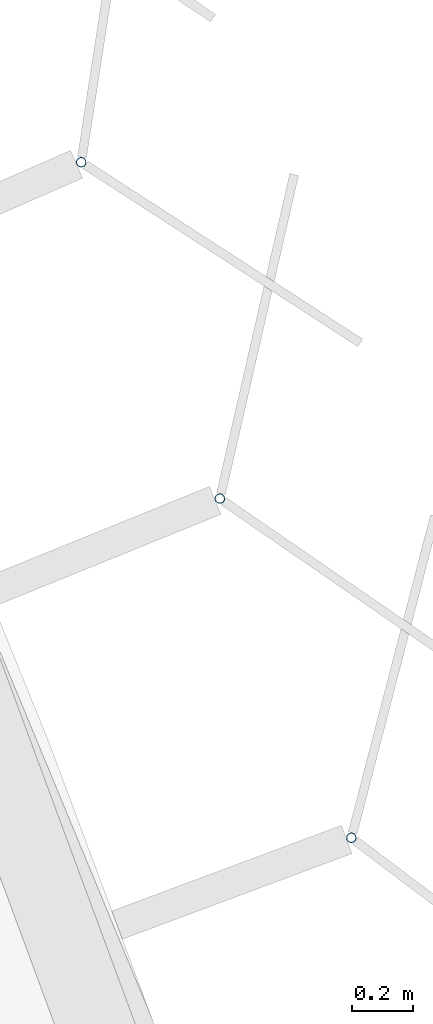
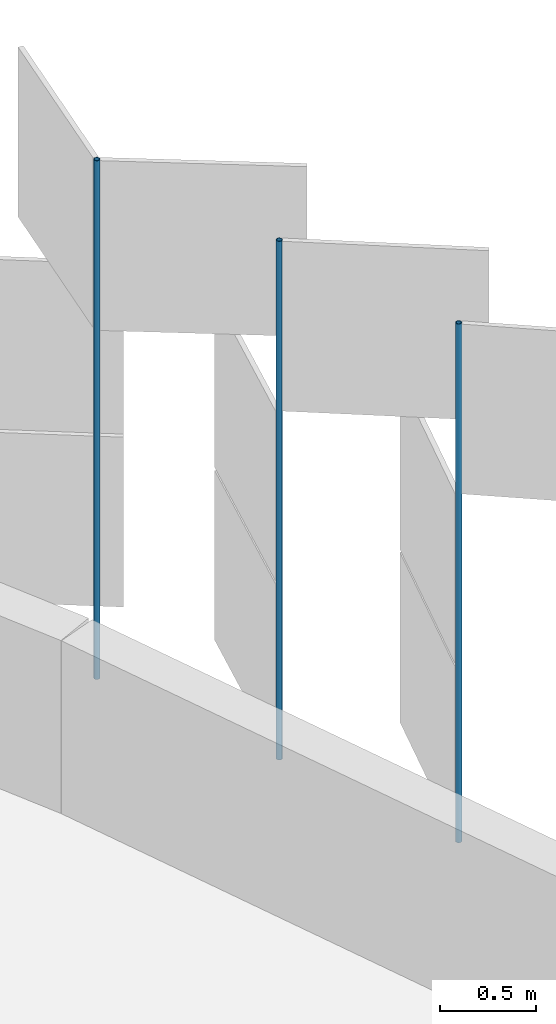
# One storey, part 121 of 198: 3 discrete accessories.
"""IFC4 building model written with IfcOpenShell, lengths in metres."""

import ifcopenshell
import ifcopenshell.guid

model = None  # the IFC model being written
_history = None  # IfcOwnerHistory: only IFC2X3 demands one
_inside = {}  # id of a spatial element -> (the spatial element, [elements in it])
_under = {}  # id of a project, library or spatial element -> (it, [spatial elements below it])
_declared = {}  # id of a project -> (the project, [libraries it declares])
_typed = {}  # id of a type object -> (the type object, [elements of that type])
_made_of = {}  # id of a material, layer set ... -> (it, [elements and type objects made of it])


def new_model(schema):
    """Start an empty IFC model of exactly this schema.

    Asked for "IFC4X3", IfcOpenShell would pick the latest addendum, in which some entities
    have other attributes; the version numbers below select the first issue.
    IFC2X3 requires an IfcOwnerHistory on every rooted entity: one is made here for all.
    """
    global model, _history
    if schema == "IFC4X3":
        model = ifcopenshell.file(schema_version=(4, 3, 0, 0))
    else:
        model = ifcopenshell.file(schema=schema)
    _inside.clear()
    _under.clear()
    _declared.clear()
    _typed.clear()
    _made_of.clear()
    _history = None
    if model.schema == "IFC2X3":
        org = make("IfcOrganization", Name="unknown")
        user = make(
            "IfcPersonAndOrganization",
            ThePerson=make("IfcPerson", FamilyName="unknown"),
            TheOrganization=org,
        )
        app = make(
            "IfcApplication",
            ApplicationDeveloper=org,
            Version="unknown",
            ApplicationFullName="unknown",
            ApplicationIdentifier="unknown",
        )
        _history = make(
            "IfcOwnerHistory",
            OwningUser=user,
            OwningApplication=app,
            ChangeAction="ADDED",
            CreationDate=0,
        )
    return model


def make(cls, **values):
    """One entity of the class cls with the attributes given. An attribute that is None is left unset."""
    return model.create_entity(
        cls, **{name: value for name, value in values.items() if value is not None}
    )


def rooted(cls, **values):
    """An entity with a GlobalId (a new one), such as an element, a storey or a relation."""
    return make(cls, GlobalId=ifcopenshell.guid.new(), OwnerHistory=_history, **values)


def si_unit(unit_type, name, prefix=None):
    """IfcSIUnit, for example si_unit("LENGTHUNIT", "METRE", prefix="MILLI")."""
    return make("IfcSIUnit", UnitType=unit_type, Prefix=prefix, Name=name)


def assignment(units):
    """IfcUnitAssignment: the units of a project."""
    return None if units is None else make("IfcUnitAssignment", Units=units)


def point(xyz):
    """IfcCartesianPoint."""
    return None if xyz is None else make("IfcCartesianPoint", Coordinates=xyz)


def direction(xyz):
    """IfcDirection."""
    return None if xyz is None else make("IfcDirection", DirectionRatios=xyz)


def frame(location, z_axis=None, x_axis=None):
    """IfcAxis2Placement3D, a coordinate frame: its origin and axes. An axis left out is left unset."""
    return make(
        "IfcAxis2Placement3D",
        Location=point(location),
        Axis=direction(z_axis),
        RefDirection=direction(x_axis),
    )


def frame_2d(location, x_axis=None):
    """IfcAxis2Placement2D, a coordinate frame in the plane: its origin and x axis."""
    return make(
        "IfcAxis2Placement2D", Location=point(location), RefDirection=direction(x_axis)
    )


def origin():
    """The frame at (0, 0, 0) with its axes left unset."""
    return frame((0.0, 0.0, 0.0))


def origin_2d():
    """The frame at (0, 0) in the plane with its x axis left unset."""
    return frame_2d((0.0, 0.0))


def place(relative_to, where):
    """IfcLocalPlacement: puts the frame where relative to a parent placement (None: the world)."""
    return make(
        "IfcLocalPlacement", PlacementRelTo=relative_to, RelativePlacement=where
    )


def context(
    kind, dimensions, precision=None, world=None, true_north=None, identifier=None
):
    """IfcGeometricRepresentationContext, for example the 3D "Model" context."""
    return make(
        "IfcGeometricRepresentationContext",
        ContextIdentifier=identifier,
        ContextType=kind,
        CoordinateSpaceDimension=dimensions,
        Precision=precision,
        WorldCoordinateSystem=world,
        TrueNorth=true_north,
    )


def subcontext(parent, identifier, kind, view, scale=None):
    """IfcGeometricRepresentationSubContext, for example "Body" below "Model"."""
    return make(
        "IfcGeometricRepresentationSubContext",
        ContextIdentifier=identifier,
        ContextType=kind,
        ParentContext=parent,
        TargetScale=scale,
        TargetView=view,
    )


def project(units=None, contexts=None):
    """IfcProject with its units and contexts."""
    return rooted(
        "IfcProject",
        Name="project",
        RepresentationContexts=contexts,
        UnitsInContext=assignment(units),
    )


def spatial(cls, under=None, at=None, **own):
    """A site, building, storey or space (cls), placed at a placement, below another one or the project."""
    s = rooted(cls, ObjectPlacement=at, **own)
    if under is not None:
        _under.setdefault(under.id(), (under, []))[1].append(s)
    return s


def profile(cls, at=None, kind="AREA", **sizes):
    """A parametric profile (cls). Its sizes go by their IFC names, for example OverallWidth=200.0."""
    return make(cls, ProfileType=kind, Position=at, **sizes)


def hollow_circle(**sizes):
    """IfcCircleHollowProfileDef."""
    return profile("IfcCircleHollowProfileDef", **sizes)


def extrude(swept, where, along, depth):
    """IfcExtrudedAreaSolid: the profile swept, set in the frame where, extruded along a direction by depth."""
    return make(
        "IfcExtrudedAreaSolid",
        SweptArea=swept,
        Position=where,
        ExtrudedDirection=direction(along),
        Depth=depth,
    )


def shape(context_of_items, identifier, shape_type, items):
    """IfcShapeRepresentation: the items that make up one representation, for example the "Body"."""
    return make(
        "IfcShapeRepresentation",
        ContextOfItems=context_of_items,
        RepresentationIdentifier=identifier,
        RepresentationType=shape_type,
        Items=items,
    )


def material(Name=None, Category=None):
    """IfcMaterial."""
    return make("IfcMaterial", Name=Name, Category=Category)


def material_profile(
    of_material, cross_section, Name=None, Category=None, Priority=None
):
    """IfcMaterialProfile: a cross section and its material."""
    return make(
        "IfcMaterialProfile",
        Name=Name,
        Material=of_material,
        Profile=cross_section,
        Priority=Priority,
        Category=Category,
    )


def profile_set(profiles, Name=None, composite=None):
    """IfcMaterialProfileSet."""
    return make(
        "IfcMaterialProfileSet",
        Name=Name,
        MaterialProfiles=profiles,
        CompositeProfile=composite,
    )


def made_of(thing, what):
    """Note that an element or type object is made of a material, layer set ...; save() writes the relation."""
    if what is not None:
        _made_of.setdefault(what.id(), (what, []))[1].append(thing)
    return thing


def type_object(cls, material=None, **own):
    """A type object (cls), such as IfcWallType, which elements share."""
    return made_of(rooted(cls, **own), material)


def element(
    cls,
    number,
    at=None,
    inside=None,
    cuts=None,
    type_object=None,
    material=None,
    context=None,
    identifier="Body",
    shape_type=None,
    held_by="IfcProductDefinitionShape",
    body=None,
    shapes=None,
    **own,
):
    """One element of the class cls, such as IfcWall. Its Tag is "e" and its number.

    at: its placement. inside: the storey or other place that contains it. cuts: it is an
    opening in that element (IfcRelVoidsElement). A single representation is given by context,
    identifier, shape_type and body (its items); several are given by shapes. held_by: the class
    of the entity that holds the representations. save() writes the other relations.
    """
    e = rooted(cls, Tag="e%d" % number, ObjectPlacement=at, **own)
    if body is not None:
        shapes = [shape(context, identifier, shape_type, body)]
    if shapes is not None:
        e.Representation = make(held_by, Representations=shapes)
    if inside is not None:
        _inside.setdefault(inside.id(), (inside, []))[1].append(e)
    if cuts is not None:
        rooted(
            "IfcRelVoidsElement", RelatingBuildingElement=cuts, RelatedOpeningElement=e
        )
    if type_object is not None:
        _typed.setdefault(type_object.id(), (type_object, []))[1].append(e)
    return made_of(e, material)


def aggregate(whole, parts):
    """IfcRelAggregates: a whole, such as a stair, and the parts it consists of."""
    return rooted("IfcRelAggregates", RelatingObject=whole, RelatedObjects=parts)


def save(model, path):
    """Write the relations noted so far, then the file.

    IfcRelAggregates (storeys below a building ...), IfcRelContainedInSpatialStructure (elements
    in a storey), IfcRelDefinesByType, IfcRelAssociatesMaterial and IfcRelDeclares: one each for
    every whole, place, type object, material and project.
    """
    for whole, parts in _under.values():
        aggregate(whole, parts)
    for where, things in _inside.values():
        rooted(
            "IfcRelContainedInSpatialStructure",
            RelatedElements=things,
            RelatingStructure=where,
        )
    for kind, things in _typed.values():
        rooted("IfcRelDefinesByType", RelatedObjects=things, RelatingType=kind)
    for what, things in _made_of.values():
        rooted("IfcRelAssociatesMaterial", RelatedObjects=things, RelatingMaterial=what)
    for by, libraries in _declared.values():
        rooted("IfcRelDeclares", RelatingContext=by, RelatedDefinitions=libraries)
    model.write(path)


model = new_model("IFC4")

# Units and contexts
model_context = context("Model", 3, precision=1e-05, world=origin(), true_north=direction((0.0, 1.0)))
body_context = subcontext(model_context, "Body", "Model", "MODEL_VIEW")
ifc_project = project(units=[si_unit("LENGTHUNIT", "METRE"), si_unit("AREAUNIT", "SQUARE_METRE"), si_unit("VOLUMEUNIT", "CUBIC_METRE"), si_unit("PLANEANGLEUNIT", "RADIAN"), si_unit("MASSUNIT", "GRAM", prefix="KILO")], contexts=[model_context])

# Site, building, storey
site_placement = place(None, origin())
site = spatial("IfcSite", under=ifc_project, at=site_placement, CompositionType="ELEMENT")
building_placement = place(site_placement, origin())
building = spatial("IfcBuilding", under=site, at=building_placement, Name="Parallax Yard Mobility Hub", CompositionType="ELEMENT")
storey_placement = place(building_placement, frame((0.0, 0.0, 6.60009765625)))
storey = spatial("IfcBuildingStorey", under=building, at=storey_placement, Name="L02", CompositionType="ELEMENT", Elevation=6.60009765625)

# Discrete accessories
ifc_material = material(Name="Steel ASTM A500 Gr C, hot-dip galvanised", Category="steel")
ifc_material_profile = material_profile(ifc_material, hollow_circle(Radius=0.016845703125, WallThickness=0.003173828125, at=origin_2d()), Name="CHS 33.7x3.2")
ifc_profile_set = profile_set([ifc_material_profile], Name="Steel ASTM A500 Gr C, hot-dip galvanised")
discrete_accessory_type = type_object("IfcDiscreteAccessoryType", Name="Hinge post CHS 33.7x3.2", PredefinedType="BRACKET", material=ifc_profile_set)
for number, where, z_axis, x_axis, name in (
    (1, (222.4189453125, 108.734130859375, 0.0), (0.0, 0.0, 1.0), (1.0, 0.0, 0.0), "Hinge post bay 43.3 level L02"),
    (2, (221.985107421875, 109.8525390625, 0.0), (0.0, 0.0, 1.0), (1.0, 0.0, 0.0), "Hinge post bay 43.4 level L02"),
    (3, (221.528076171875, 110.961669921875, 0.0), (0.0, 0.0, 1.0), (1.0, 0.0, 0.0), "Hinge post bay 43.5 level L02"),
):
    element("IfcDiscreteAccessory", number, at=place(storey_placement, frame(where, z_axis=z_axis, x_axis=x_axis)), inside=storey, type_object=discrete_accessory_type, Name=name, PredefinedType="BRACKET", context=body_context, shape_type="SweptSolid", body=[
        extrude(hollow_circle(Radius=0.016845703125, WallThickness=0.003173828125, at=origin_2d()), origin(), (0.0, 0.0, 1.0), 3.2998046875),
    ])

save(model, "model.ifc")
